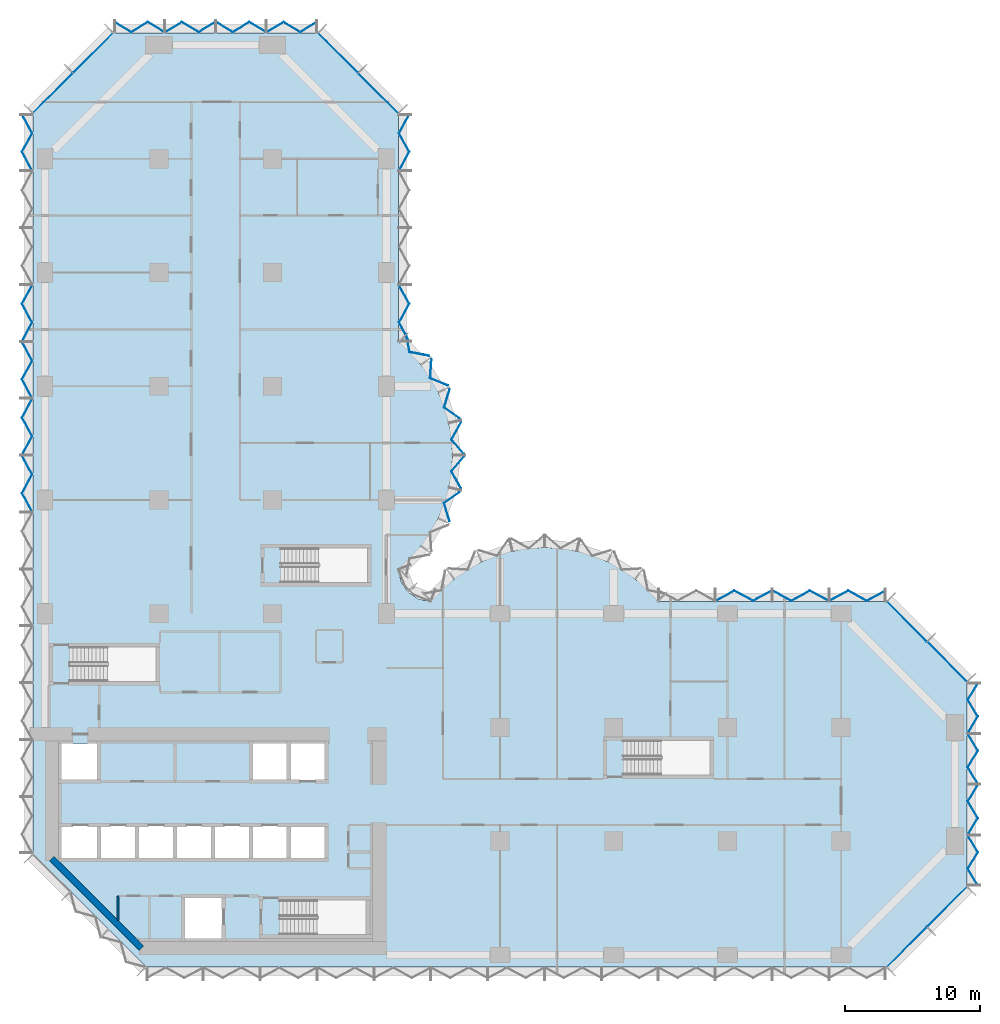
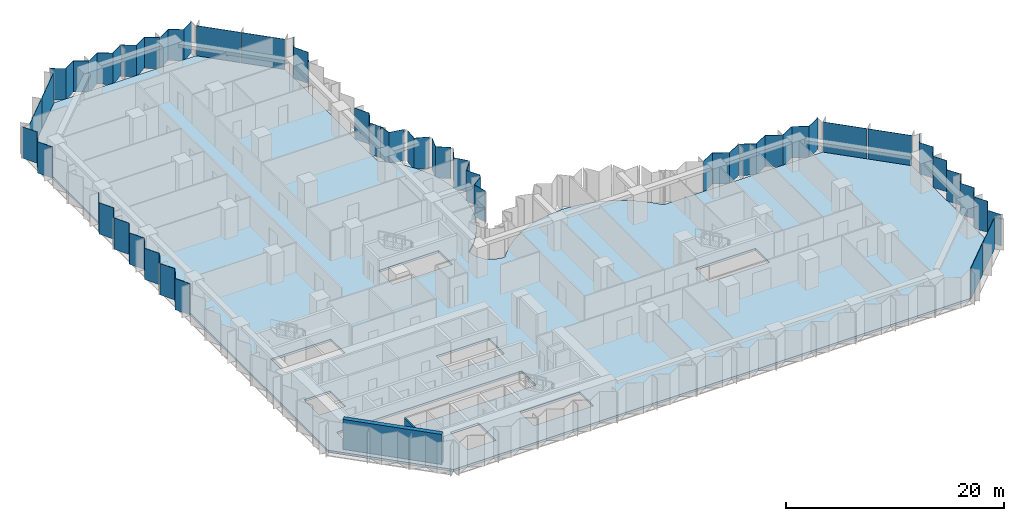
# One storey, part 6 of 15: 32 plates, 2 walls, 1 slab, 10 elements without a shape of their own.
"""IFC4 building model written with IfcOpenShell, lengths in metres."""

from ifc_helpers import new_model, si_unit, direction, frame, frame_2d, origin, place, context, subcontext, project, spatial, polyline, rectangle, outline, extrude, material, layer, layer_set, type_object, element, aggregate, save


model = new_model("IFC4")

# Units and contexts
model_context = context("Model", 3, precision=1e-05, world=origin(), true_north=direction((0.0, 1.0)))
body_context = subcontext(model_context, "Body", "Model", "MODEL_VIEW")
ifc_project = project(units=[si_unit("LENGTHUNIT", "METRE"), si_unit("AREAUNIT", "SQUARE_METRE"), si_unit("VOLUMEUNIT", "CUBIC_METRE"), si_unit("PLANEANGLEUNIT", "RADIAN"), si_unit("MASSUNIT", "GRAM", prefix="KILO")], contexts=[model_context])

# Site, building, storey
site_placement = place(None, origin())
site = spatial("IfcSite", under=ifc_project, at=site_placement, CompositionType="ELEMENT")
building_placement = place(site_placement, origin())
building = spatial("IfcBuilding", under=site, at=building_placement, Name="Brevane Broadcast Tower", CompositionType="ELEMENT")
storey_placement = place(building_placement, frame((0.0, 0.0, 72.5)))
storey = spatial("IfcBuildingStorey", under=building, at=storey_placement, Name="L16", CompositionType="ELEMENT", Elevation=72.5)

# Curtain wall, plates
ifc_material_1 = material(Name="Aluminium 6063-T6 bronze anodised", Category="aluminium")
curtain_wall_type = type_object("IfcCurtainWallType", Name="CW-1 curtain wall", PredefinedType="NOTDEFINED", material=ifc_material_1)
curtain_wall_1_placement = place(storey_placement, origin())
curtain_wall_1 = element("IfcCurtainWall", 1, at=curtain_wall_1_placement, inside=storey, type_object=curtain_wall_type, Name="CW-1 typical tilted unit L16 south-east chamfer", PredefinedType="NOTDEFINED")
ifc_material_2 = material(Name="Laminated glass bronze-tinted", Category="glass")
ifc_layer_1 = layer(ifc_material_2, 0.0400390625)
ifc_layer_set_1 = layer_set([ifc_layer_1], Name="CW tall glass panel 40")
plate_type = type_object("IfcPlateType", Name="CW tall glass panel 40", PredefinedType="CURTAIN_PANEL", material=ifc_layer_set_1)
plate_1_placement = place(storey_placement, frame((0.0, 0.0, -0.14990234375)))
plate_1 = element("IfcPlate", 2, at=plate_1_placement, type_object=plate_type, Name="CW-1 glass panel", PredefinedType="CURTAIN_PANEL", context=body_context, shape_type="SweptSolid", body=[
    extrude(outline(polyline([(62.14599609375, -0.896484375), (65.096435546875, 2.053955078125), (65.124755859375, 2.02587890625), (62.17431640625, -0.9248046875), (62.14599609375, -0.896484375)])), origin(), (0.0, 0.0, 1.0), 3.5),
])
plate_2_placement = place(storey_placement, frame((0.0, 0.0, -0.14990234375)))
plate_2 = element("IfcPlate", 3, at=plate_2_placement, type_object=plate_type, Name="CW-1 glass panel", PredefinedType="CURTAIN_PANEL", context=body_context, shape_type="SweptSolid", body=[
    extrude(outline(polyline([(65.14599609375, 2.103515625), (68.096435546875, 5.053955078125), (68.124755859375, 5.02587890625), (65.17431640625, 2.0751953125), (65.14599609375, 2.103515625)])), origin(), (0.0, 0.0, 1.0), 3.5),
])
aggregate(curtain_wall_1, [plate_1, plate_2])

curtain_wall_2_placement = place(storey_placement, origin())
curtain_wall_2 = element("IfcCurtainWall", 4, at=curtain_wall_2_placement, inside=storey, type_object=curtain_wall_type, Name="CW-1 typical tilted unit L16 east end", PredefinedType="NOTDEFINED")
plate_3_placement = place(storey_placement, frame((0.0, 0.0, -0.14990234375)))
plate_3 = element("IfcPlate", 5, at=plate_3_placement, type_object=plate_type, Name="CW-1 glass panel", PredefinedType="CURTAIN_PANEL", context=body_context, shape_type="SweptSolid", body=[
    extrude(outline(polyline([(68.87109375, 5.135009765625), (68.917724609375, 5.135009765625), (68.17333984375, 6.36181640625), (68.917724609375, 7.58837890625), (68.17333984375, 8.81494140625), (68.126708984375, 8.81494140625), (68.87109375, 7.58837890625), (68.126708984375, 6.36181640625), (68.87109375, 5.135009765625)])), origin(), (0.0, 0.0, 1.0), 3.5),
])
plate_4_placement = place(storey_placement, frame((0.0, 0.0, -0.14990234375)))
plate_4 = element("IfcPlate", 6, at=plate_4_placement, type_object=plate_type, Name="CW-1 glass panel", PredefinedType="CURTAIN_PANEL", context=body_context, shape_type="SweptSolid", body=[
    extrude(outline(polyline([(68.126708984375, 8.885009765625), (68.17333984375, 8.885009765625), (68.917724609375, 10.11181640625), (68.17333984375, 11.33837890625), (68.917724609375, 12.56494140625), (68.87109375, 12.56494140625), (68.126708984375, 11.33837890625), (68.87109375, 10.11181640625), (68.126708984375, 8.885009765625)])), origin(), (0.0, 0.0, 1.0), 3.5),
])
plate_5_placement = place(storey_placement, frame((0.0, 0.0, -0.14990234375)))
plate_5 = element("IfcPlate", 7, at=plate_5_placement, type_object=plate_type, Name="CW-1 glass panel", PredefinedType="CURTAIN_PANEL", context=body_context, shape_type="SweptSolid", body=[
    extrude(outline(polyline([(68.87109375, 12.635009765625), (68.917724609375, 12.635009765625), (68.17333984375, 13.86181640625), (68.917724609375, 15.08837890625), (68.17333984375, 16.31494140625), (68.126708984375, 16.31494140625), (68.87109375, 15.08837890625), (68.126708984375, 13.86181640625), (68.87109375, 12.635009765625)])), origin(), (0.0, 0.0, 1.0), 3.5),
])
plate_6_placement = place(storey_placement, frame((0.0, 0.0, -0.14990234375)))
plate_6 = element("IfcPlate", 8, at=plate_6_placement, type_object=plate_type, Name="CW-1 glass panel", PredefinedType="CURTAIN_PANEL", context=body_context, shape_type="SweptSolid", body=[
    extrude(outline(polyline([(68.126708984375, 16.385009765625), (68.17333984375, 16.385009765625), (68.917724609375, 17.61181640625), (68.17333984375, 18.83837890625), (68.917724609375, 20.06494140625), (68.87109375, 20.06494140625), (68.126708984375, 18.83837890625), (68.87109375, 17.61181640625), (68.126708984375, 16.385009765625)])), origin(), (0.0, 0.0, 1.0), 3.5),
])
aggregate(curtain_wall_2, [plate_3, plate_4, plate_5, plate_6])

curtain_wall_3_placement = place(storey_placement, origin())
curtain_wall_3 = element("IfcCurtainWall", 9, at=curtain_wall_3_placement, inside=storey, type_object=curtain_wall_type, Name="CW-1 typical tilted unit L16 north-east chamfer", PredefinedType="NOTDEFINED")
plate_7_placement = place(storey_placement, frame((0.0, 0.0, -0.14990234375)))
plate_7 = element("IfcPlate", 10, at=plate_7_placement, type_object=plate_type, Name="CW-1 glass panel", PredefinedType="CURTAIN_PANEL", context=body_context, shape_type="SweptSolid", body=[
    extrude(outline(polyline([(68.096435546875, 20.14599609375), (65.14599609375, 23.096435546875), (65.17431640625, 23.124755859375), (68.124755859375, 20.17431640625), (68.096435546875, 20.14599609375)])), origin(), (0.0, 0.0, 1.0), 3.5),
])
plate_8_placement = place(storey_placement, frame((0.0, 0.0, -0.14990234375)))
plate_8 = element("IfcPlate", 11, at=plate_8_placement, type_object=plate_type, Name="CW-1 glass panel", PredefinedType="CURTAIN_PANEL", context=body_context, shape_type="SweptSolid", body=[
    extrude(outline(polyline([(65.096435546875, 23.14599609375), (62.14599609375, 26.096435546875), (62.17431640625, 26.124755859375), (65.124755859375, 23.17431640625), (65.096435546875, 23.14599609375)])), origin(), (0.0, 0.0, 1.0), 3.5),
])
aggregate(curtain_wall_3, [plate_7, plate_8])

curtain_wall_4_placement = place(storey_placement, origin())
curtain_wall_4 = element("IfcCurtainWall", 12, at=curtain_wall_4_placement, inside=storey, type_object=curtain_wall_type, Name="CW-1 typical tilted unit L16 east arm north face", PredefinedType="NOTDEFINED")
plate_9_placement = place(storey_placement, frame((0.0, 0.0, -0.14990234375)))
plate_9 = element("IfcPlate", 13, at=plate_9_placement, type_object=plate_type, Name="CW-1 glass panel", PredefinedType="CURTAIN_PANEL", context=body_context, shape_type="SweptSolid", body=[
    extrude(outline(polyline([(62.06494140625, 26.87158203125), (62.06494140625, 26.9169921875), (60.688232421875, 26.172607421875), (59.311767578125, 26.9169921875), (57.93505859375, 26.172607421875), (57.93505859375, 26.127197265625), (59.311767578125, 26.87158203125), (60.688232421875, 26.127197265625), (62.06494140625, 26.87158203125)])), origin(), (0.0, 0.0, 1.0), 3.5),
])
plate_10_placement = place(storey_placement, frame((0.0, 0.0, -0.14990234375)))
plate_10 = element("IfcPlate", 14, at=plate_10_placement, type_object=plate_type, Name="CW-1 glass panel", PredefinedType="CURTAIN_PANEL", context=body_context, shape_type="SweptSolid", body=[
    extrude(outline(polyline([(57.864990234375, 26.127197265625), (57.864990234375, 26.172607421875), (56.48828125, 26.9169921875), (55.11181640625, 26.172607421875), (53.735107421875, 26.9169921875), (53.735107421875, 26.87158203125), (55.11181640625, 26.127197265625), (56.48828125, 26.87158203125), (57.864990234375, 26.127197265625)])), origin(), (0.0, 0.0, 1.0), 3.5),
])
plate_11_placement = place(storey_placement, frame((0.0, 0.0, -0.14990234375)))
plate_11 = element("IfcPlate", 15, at=plate_11_placement, type_object=plate_type, Name="CW-1 glass panel", PredefinedType="CURTAIN_PANEL", context=body_context, shape_type="SweptSolid", body=[
    extrude(outline(polyline([(53.6650390625, 26.87158203125), (53.6650390625, 26.9169921875), (52.288330078125, 26.172607421875), (50.91162109375, 26.9169921875), (49.534912109375, 26.172607421875), (49.534912109375, 26.127197265625), (50.91162109375, 26.87158203125), (52.288330078125, 26.127197265625), (53.6650390625, 26.87158203125)])), origin(), (0.0, 0.0, 1.0), 3.5),
])
aggregate(curtain_wall_4, [plate_9, plate_10, plate_11])

curtain_wall_5_placement = place(storey_placement, origin())
curtain_wall_5 = element("IfcCurtainWall", 16, at=curtain_wall_5_placement, inside=storey, type_object=curtain_wall_type, Name="CW-1 typical tilted unit L16 north bow", PredefinedType="NOTDEFINED")
plate_12_placement = place(storey_placement, frame((0.0, 0.0, -0.14990234375)))
plate_12 = element("IfcPlate", 17, at=plate_12_placement, type_object=plate_type, Name="CW-1 glass panel", PredefinedType="CURTAIN_PANEL", context=body_context, shape_type="SweptSolid", body=[
    extrude(outline(polyline([(29.851806640625, 32.044677734375), (29.900634765625, 32.021484375), (29.494384765625, 33.364501953125), (30.622802734375, 34.167236328125), (30.57080078125, 34.17919921875), (29.44775390625, 33.380615234375), (29.851806640625, 32.044677734375)])), origin(), (0.0, 0.0, 1.0), 3.5),
])
plate_13_placement = place(storey_placement, frame((0.0, 0.0, -0.14990234375)))
plate_13 = element("IfcPlate", 18, at=plate_13_placement, type_object=plate_type, Name="CW-1 glass panel", PredefinedType="CURTAIN_PANEL", context=body_context, shape_type="SweptSolid", body=[
    extrude(outline(polyline([(30.68798828125, 34.483642578125), (30.740478515625, 34.4716796875), (30.036376953125, 35.730224609375), (30.94921875, 36.7919921875), (30.896484375, 36.7919921875), (29.98779296875, 35.735107421875), (30.68798828125, 34.483642578125)])), origin(), (0.0, 0.0, 1.0), 3.5),
])
plate_14_placement = place(storey_placement, frame((0.0, 0.0, -0.14990234375)))
plate_14 = element("IfcPlate", 19, at=plate_14_placement, type_object=plate_type, Name="CW-1 glass panel", PredefinedType="CURTAIN_PANEL", context=body_context, shape_type="SweptSolid", body=[
    extrude(outline(polyline([(30.896484375, 37.008056640625), (30.94921875, 37.008056640625), (30.036376953125, 38.069580078125), (30.740478515625, 39.328369140625), (30.68798828125, 39.31640625), (29.98779296875, 38.064697265625), (30.896484375, 37.008056640625)])), origin(), (0.0, 0.0, 1.0), 3.5),
])
plate_15_placement = place(storey_placement, frame((0.0, 0.0, -0.14990234375)))
plate_15 = element("IfcPlate", 20, at=plate_15_placement, type_object=plate_type, Name="CW-1 glass panel", PredefinedType="CURTAIN_PANEL", context=body_context, shape_type="SweptSolid", body=[
    extrude(outline(polyline([(30.57080078125, 39.62060546875), (30.622802734375, 39.6328125), (29.494384765625, 40.435546875), (29.900634765625, 41.778564453125), (29.851806640625, 41.75537109375), (29.44775390625, 40.41943359375), (30.57080078125, 39.62060546875)])), origin(), (0.0, 0.0, 1.0), 3.5),
])
plate_16_placement = place(storey_placement, frame((0.0, 0.0, -0.14990234375)))
plate_16 = element("IfcPlate", 21, at=plate_16_placement, type_object=plate_type, Name="CW-1 glass panel", PredefinedType="CURTAIN_PANEL", context=body_context, shape_type="SweptSolid", body=[
    extrude(outline(polyline([(29.712890625, 42.046875), (29.76171875, 42.0703125), (28.462890625, 42.601318359375), (28.551025390625, 43.9833984375), (28.5087890625, 43.950439453125), (28.42138671875, 42.5751953125), (29.712890625, 42.046875)])), origin(), (0.0, 0.0, 1.0), 3.5),
])
plate_17_placement = place(storey_placement, frame((0.0, 0.0, -0.14990234375)))
plate_17 = element("IfcPlate", 22, at=plate_17_placement, type_object=plate_type, Name="CW-1 glass panel", PredefinedType="CURTAIN_PANEL", context=body_context, shape_type="SweptSolid", body=[
    extrude(outline(polyline([(28.34375, 44.231201171875), (28.3857421875, 44.263916015625), (26.9423828125, 44.539306640625), (26.690185546875, 45.82470703125), (26.656005859375, 45.79150390625), (26.908203125, 44.5048828125), (28.34375, 44.231201171875)])), origin(), (0.0, 0.0, 1.0), 3.5),
])
aggregate(curtain_wall_5, [plate_12, plate_13, plate_14, plate_15, plate_16, plate_17])

curtain_wall_6_placement = place(storey_placement, origin())
curtain_wall_6 = element("IfcCurtainWall", 23, at=curtain_wall_6_placement, inside=storey, type_object=curtain_wall_type, Name="CW-1 typical tilted unit L16 north arm east face", PredefinedType="NOTDEFINED")
plate_18_placement = place(storey_placement, frame((0.0, 0.0, -0.14990234375)))
plate_18 = element("IfcPlate", 24, at=plate_18_placement, type_object=plate_type, Name="CW-1 glass panel", PredefinedType="CURTAIN_PANEL", context=body_context, shape_type="SweptSolid", body=[
    extrude(outline(polyline([(26.87158203125, 45.3349609375), (26.9169921875, 45.3349609375), (26.172607421875, 46.711669921875), (26.9169921875, 48.08837890625), (26.172607421875, 49.465087890625), (26.127197265625, 49.465087890625), (26.87158203125, 48.08837890625), (26.127197265625, 46.711669921875), (26.87158203125, 45.3349609375)])), origin(), (0.0, 0.0, 1.0), 3.5),
])
plate_19_placement = place(storey_placement, frame((0.0, 0.0, -0.14990234375)))
plate_19 = element("IfcPlate", 25, at=plate_19_placement, type_object=plate_type, Name="CW-1 glass panel", PredefinedType="CURTAIN_PANEL", context=body_context, shape_type="SweptSolid", body=[
    extrude(outline(polyline([(26.127197265625, 57.93505859375), (26.172607421875, 57.93505859375), (26.9169921875, 59.311767578125), (26.172607421875, 60.688232421875), (26.9169921875, 62.06494140625), (26.87158203125, 62.06494140625), (26.127197265625, 60.688232421875), (26.87158203125, 59.311767578125), (26.127197265625, 57.93505859375)])), origin(), (0.0, 0.0, 1.0), 3.5),
])
aggregate(curtain_wall_6, [plate_18, plate_19])

curtain_wall_7_placement = place(storey_placement, origin())
curtain_wall_7 = element("IfcCurtainWall", 26, at=curtain_wall_7_placement, inside=storey, type_object=curtain_wall_type, Name="CW-1 typical tilted unit L16 north arm north-east chamfer", PredefinedType="NOTDEFINED")
plate_20_placement = place(storey_placement, frame((0.0, 0.0, -0.14990234375)))
plate_20 = element("IfcPlate", 27, at=plate_20_placement, type_object=plate_type, Name="CW-1 glass panel", PredefinedType="CURTAIN_PANEL", context=body_context, shape_type="SweptSolid", body=[
    extrude(outline(polyline([(26.096435546875, 62.14599609375), (23.14599609375, 65.096435546875), (23.17431640625, 65.124755859375), (26.124755859375, 62.17431640625), (26.096435546875, 62.14599609375)])), origin(), (0.0, 0.0, 1.0), 3.5),
])
plate_21_placement = place(storey_placement, frame((0.0, 0.0, -0.14990234375)))
plate_21 = element("IfcPlate", 28, at=plate_21_placement, type_object=plate_type, Name="CW-1 glass panel", PredefinedType="CURTAIN_PANEL", context=body_context, shape_type="SweptSolid", body=[
    extrude(outline(polyline([(23.096435546875, 65.14599609375), (20.14599609375, 68.096435546875), (20.17431640625, 68.124755859375), (23.124755859375, 65.17431640625), (23.096435546875, 65.14599609375)])), origin(), (0.0, 0.0, 1.0), 3.5),
])
aggregate(curtain_wall_7, [plate_20, plate_21])

curtain_wall_8_placement = place(storey_placement, origin())
curtain_wall_8 = element("IfcCurtainWall", 29, at=curtain_wall_8_placement, inside=storey, type_object=curtain_wall_type, Name="CW-1 typical tilted unit L16 north end", PredefinedType="NOTDEFINED")
plate_22_placement = place(storey_placement, frame((0.0, 0.0, -0.14990234375)))
plate_22 = element("IfcPlate", 30, at=plate_22_placement, type_object=plate_type, Name="CW-1 glass panel", PredefinedType="CURTAIN_PANEL", context=body_context, shape_type="SweptSolid", body=[
    extrude(outline(polyline([(20.06494140625, 68.87109375), (20.06494140625, 68.917724609375), (18.83837890625, 68.17333984375), (17.61181640625, 68.917724609375), (16.385009765625, 68.17333984375), (16.385009765625, 68.126708984375), (17.61181640625, 68.87109375), (18.83837890625, 68.126708984375), (20.06494140625, 68.87109375)])), origin(), (0.0, 0.0, 1.0), 3.5),
])
plate_23_placement = place(storey_placement, frame((0.0, 0.0, -0.14990234375)))
plate_23 = element("IfcPlate", 31, at=plate_23_placement, type_object=plate_type, Name="CW-1 glass panel", PredefinedType="CURTAIN_PANEL", context=body_context, shape_type="SweptSolid", body=[
    extrude(outline(polyline([(16.31494140625, 68.126708984375), (16.31494140625, 68.17333984375), (15.08837890625, 68.917724609375), (13.86181640625, 68.17333984375), (12.635009765625, 68.917724609375), (12.635009765625, 68.87109375), (13.86181640625, 68.126708984375), (15.08837890625, 68.87109375), (16.31494140625, 68.126708984375)])), origin(), (0.0, 0.0, 1.0), 3.5),
])
plate_24_placement = place(storey_placement, frame((0.0, 0.0, -0.14990234375)))
plate_24 = element("IfcPlate", 32, at=plate_24_placement, type_object=plate_type, Name="CW-1 glass panel", PredefinedType="CURTAIN_PANEL", context=body_context, shape_type="SweptSolid", body=[
    extrude(outline(polyline([(12.56494140625, 68.87109375), (12.56494140625, 68.917724609375), (11.33837890625, 68.17333984375), (10.11181640625, 68.917724609375), (8.885009765625, 68.17333984375), (8.885009765625, 68.126708984375), (10.11181640625, 68.87109375), (11.33837890625, 68.126708984375), (12.56494140625, 68.87109375)])), origin(), (0.0, 0.0, 1.0), 3.5),
])
plate_25_placement = place(storey_placement, frame((0.0, 0.0, -0.14990234375)))
plate_25 = element("IfcPlate", 33, at=plate_25_placement, type_object=plate_type, Name="CW-1 glass panel", PredefinedType="CURTAIN_PANEL", context=body_context, shape_type="SweptSolid", body=[
    extrude(outline(polyline([(8.81494140625, 68.126708984375), (8.81494140625, 68.17333984375), (7.58837890625, 68.917724609375), (6.36181640625, 68.17333984375), (5.135009765625, 68.917724609375), (5.135009765625, 68.87109375), (6.36181640625, 68.126708984375), (7.58837890625, 68.87109375), (8.81494140625, 68.126708984375)])), origin(), (0.0, 0.0, 1.0), 3.5),
])
aggregate(curtain_wall_8, [plate_22, plate_23, plate_24, plate_25])

curtain_wall_9_placement = place(storey_placement, origin())
curtain_wall_9 = element("IfcCurtainWall", 34, at=curtain_wall_9_placement, inside=storey, type_object=curtain_wall_type, Name="CW-1 typical tilted unit L16 north-west chamfer", PredefinedType="NOTDEFINED")
plate_26_placement = place(storey_placement, frame((0.0, 0.0, -0.14990234375)))
plate_26 = element("IfcPlate", 35, at=plate_26_placement, type_object=plate_type, Name="CW-1 glass panel", PredefinedType="CURTAIN_PANEL", context=body_context, shape_type="SweptSolid", body=[
    extrude(outline(polyline([(5.053955078125, 68.096435546875), (2.103515625, 65.14599609375), (2.0751953125, 65.17431640625), (5.02587890625, 68.124755859375), (5.053955078125, 68.096435546875)])), origin(), (0.0, 0.0, 1.0), 3.5),
])
plate_27_placement = place(storey_placement, frame((0.0, 0.0, -0.14990234375)))
plate_27 = element("IfcPlate", 36, at=plate_27_placement, type_object=plate_type, Name="CW-1 glass panel", PredefinedType="CURTAIN_PANEL", context=body_context, shape_type="SweptSolid", body=[
    extrude(outline(polyline([(2.053955078125, 65.096435546875), (-0.896484375, 62.14599609375), (-0.9248046875, 62.17431640625), (2.02587890625, 65.124755859375), (2.053955078125, 65.096435546875)])), origin(), (0.0, 0.0, 1.0), 3.5),
])
aggregate(curtain_wall_9, [plate_26, plate_27])

curtain_wall_10_placement = place(storey_placement, origin())
curtain_wall_10 = element("IfcCurtainWall", 37, at=curtain_wall_10_placement, inside=storey, type_object=curtain_wall_type, Name="CW-1 typical tilted unit L16 west face", PredefinedType="NOTDEFINED")
plate_28_placement = place(storey_placement, frame((0.0, 0.0, -0.14990234375)))
plate_28 = element("IfcPlate", 38, at=plate_28_placement, type_object=plate_type, Name="CW-1 glass panel", PredefinedType="CURTAIN_PANEL", context=body_context, shape_type="SweptSolid", body=[
    extrude(outline(polyline([(-1.671630859375, 62.06494140625), (-1.717041015625, 62.06494140625), (-0.97265625, 60.688232421875), (-1.717041015625, 59.311767578125), (-0.97265625, 57.93505859375), (-0.92724609375, 57.93505859375), (-1.671630859375, 59.311767578125), (-0.92724609375, 60.688232421875), (-1.671630859375, 62.06494140625)])), origin(), (0.0, 0.0, 1.0), 3.5),
])
plate_29_placement = place(storey_placement, frame((0.0, 0.0, -0.14990234375)))
plate_29 = element("IfcPlate", 39, at=plate_29_placement, type_object=plate_type, Name="CW-1 glass panel", PredefinedType="CURTAIN_PANEL", context=body_context, shape_type="SweptSolid", body=[
    extrude(outline(polyline([(-0.92724609375, 49.465087890625), (-0.97265625, 49.465087890625), (-1.717041015625, 48.08837890625), (-0.97265625, 46.711669921875), (-1.717041015625, 45.3349609375), (-1.671630859375, 45.3349609375), (-0.92724609375, 46.711669921875), (-1.671630859375, 48.08837890625), (-0.92724609375, 49.465087890625)])), origin(), (0.0, 0.0, 1.0), 3.5),
])
plate_30_placement = place(storey_placement, frame((0.0, 0.0, -0.14990234375)))
plate_30 = element("IfcPlate", 40, at=plate_30_placement, type_object=plate_type, Name="CW-1 glass panel", PredefinedType="CURTAIN_PANEL", context=body_context, shape_type="SweptSolid", body=[
    extrude(outline(polyline([(-1.671630859375, 45.264892578125), (-1.717041015625, 45.264892578125), (-0.97265625, 43.88818359375), (-1.717041015625, 42.51171875), (-0.97265625, 41.135009765625), (-0.92724609375, 41.135009765625), (-1.671630859375, 42.51171875), (-0.92724609375, 43.88818359375), (-1.671630859375, 45.264892578125)])), origin(), (0.0, 0.0, 1.0), 3.5),
])
plate_31_placement = place(storey_placement, frame((0.0, 0.0, -0.14990234375)))
plate_31 = element("IfcPlate", 41, at=plate_31_placement, type_object=plate_type, Name="CW-1 glass panel", PredefinedType="CURTAIN_PANEL", context=body_context, shape_type="SweptSolid", body=[
    extrude(outline(polyline([(-0.92724609375, 41.06494140625), (-0.97265625, 41.06494140625), (-1.717041015625, 39.688232421875), (-0.97265625, 38.311767578125), (-1.717041015625, 36.93505859375), (-1.671630859375, 36.93505859375), (-0.92724609375, 38.311767578125), (-1.671630859375, 39.688232421875), (-0.92724609375, 41.06494140625)])), origin(), (0.0, 0.0, 1.0), 3.5),
])
plate_32_placement = place(storey_placement, frame((0.0, 0.0, -0.14990234375)))
plate_32 = element("IfcPlate", 42, at=plate_32_placement, type_object=plate_type, Name="CW-1 glass panel", PredefinedType="CURTAIN_PANEL", context=body_context, shape_type="SweptSolid", body=[
    extrude(outline(polyline([(-1.671630859375, 36.864990234375), (-1.717041015625, 36.864990234375), (-0.97265625, 35.48828125), (-1.717041015625, 34.11181640625), (-0.97265625, 32.735107421875), (-0.92724609375, 32.735107421875), (-1.671630859375, 34.11181640625), (-0.92724609375, 35.48828125), (-1.671630859375, 36.864990234375)])), origin(), (0.0, 0.0, 1.0), 3.5),
])
aggregate(curtain_wall_10, [plate_28, plate_29, plate_30, plate_31, plate_32])

# Slab
ifc_material_3 = material(Name="Concrete C40/50", Category="concrete")
ifc_layer_2 = layer(ifc_material_3, 0.25)
ifc_layer_set_2 = layer_set([ifc_layer_2], Name="RC FLOOR SLAB 250 C40/50")
slab_type = type_object("IfcSlabType", Name="RC FLOOR SLAB 250 C40/50", PredefinedType="FLOOR", material=ifc_layer_set_2)
slab_placement = place(storey_placement, frame((0.0, 0.0, -0.25)))
element("IfcSlab", 43, at=slab_placement, inside=storey, type_object=slab_type, Name="SL250 L16", PredefinedType="FLOOR", context=body_context, shape_type="SweptSolid", body=[
    extrude(outline(polyline([(-0.89990234375, 7.5), (-0.89990234375, 62.10009765625), (5.10009765625, 68.10009765625), (20.10009765625, 68.10009765625), (26.10009765625, 62.10009765625), (26.10009765625, 45.300048828125), (27.10888671875, 44.36865234375), (27.99169921875, 43.317138671875), (28.734130859375, 42.162353515625), (29.324462890625, 40.922607421875), (29.7529296875, 39.618408203125), (30.012939453125, 38.270263671875), (30.10009765625, 36.89990234375), (30.012939453125, 35.52978515625), (29.7529296875, 34.181640625), (29.324462890625, 32.877197265625), (28.734130859375, 31.6376953125), (27.99169921875, 30.48291015625), (27.10888671875, 29.431396484375), (26.10009765625, 28.5), (26.28271484375, 27.58154296875), (26.802978515625, 26.802978515625), (27.58154296875, 26.28271484375), (28.5, 26.10009765625), (29.431396484375, 27.10888671875), (30.48291015625, 27.99169921875), (31.6376953125, 28.734130859375), (32.877197265625, 29.324462890625), (34.181640625, 29.7529296875), (35.52978515625, 30.012939453125), (36.89990234375, 30.10009765625), (38.270263671875, 30.012939453125), (39.618408203125, 29.7529296875), (40.922607421875, 29.324462890625), (42.162353515625, 28.734130859375), (43.317138671875, 27.99169921875), (44.36865234375, 27.10888671875), (45.300048828125, 26.10009765625), (62.10009765625, 26.10009765625), (68.10009765625, 20.10009765625), (68.10009765625, 5.10009765625), (62.10009765625, -0.89990234375), (7.5, -0.89990234375), (-0.89990234375, 7.5)]), holes=[polyline([(13.199951171875, 4.39990234375), (10.199951171875, 4.39990234375), (10.199951171875, 1.199951171875), (13.199951171875, 1.199951171875), (13.199951171875, 4.39990234375)]), polyline([(4.0, 9.60009765625), (1.199951171875, 9.60009765625), (1.199951171875, 7.0), (4.0, 7.0), (6.800048828125, 7.0), (9.60009765625, 7.0), (12.39990234375, 7.0), (15.199951171875, 7.0), (18.0, 7.0), (20.800048828125, 7.0), (20.800048828125, 9.60009765625), (18.0, 9.60009765625), (15.199951171875, 9.60009765625), (12.39990234375, 9.60009765625), (9.60009765625, 9.60009765625), (6.800048828125, 9.60009765625), (4.0, 9.60009765625)]), polyline([(4.0, 12.800048828125), (4.0, 15.60009765625), (1.199951171875, 15.60009765625), (1.199951171875, 12.800048828125), (4.0, 12.800048828125)]), polyline([(8.199951171875, 22.75), (1.860107421875, 22.75), (1.860107421875, 20.199951171875), (8.199951171875, 20.199951171875), (8.199951171875, 22.75)]), polyline([(23.699951171875, 4.050048828125), (17.360107421875, 4.050048828125), (17.360107421875, 1.5), (23.699951171875, 1.5), (23.699951171875, 4.050048828125)]), polyline([(18.0, 15.60009765625), (15.199951171875, 15.60009765625), (15.199951171875, 12.800048828125), (18.0, 12.800048828125), (20.800048828125, 12.800048828125), (20.800048828125, 15.60009765625), (18.0, 15.60009765625)]), polyline([(49.10009765625, 15.85009765625), (42.760009765625, 15.85009765625), (42.760009765625, 13.300048828125), (49.10009765625, 13.300048828125), (49.10009765625, 15.85009765625)]), polyline([(23.800048828125, 30.050048828125), (17.4599609375, 30.050048828125), (17.4599609375, 27.5), (23.800048828125, 27.5), (23.800048828125, 30.050048828125)])]), origin(), (0.0, 0.0, 1.0), 0.25),
])

# Walls
ifc_material_4 = material(Name="Gypsum board on steel studs", Category="steel")
ifc_layer_3 = layer(ifc_material_4, 0.14990234375)
ifc_layer_set_3 = layer_set([ifc_layer_3], Name="Core fire partition 150 mm")
wall_type_1 = type_object("IfcWallType", Name="Core fire partition 150 mm", PredefinedType="PARTITIONING", material=ifc_layer_set_3)
wall_1_placement = place(storey_placement, frame((5.39990234375, 2.553466796875, 0.0), z_axis=(0.0, 0.0, 1.0), x_axis=(0.0, 1.0, 0.0)))
element("IfcWall", 44, at=wall_1_placement, inside=storey, type_object=wall_type_1, Name="L16 partition wall P10", PredefinedType="PARTITIONING", context=body_context, shape_type="SweptSolid", body=[
    extrude(rectangle(XDim=1.796630859375, YDim=0.14990234375, at=frame_2d((0.8984375, 0.0))), origin(), (0.0, 0.0, 1.0), 3.35009765625),
])
ifc_material_5 = material(Name="Concrete C80/95", Category="concrete")
ifc_layer_4 = layer(ifc_material_5, 0.449951171875)
ifc_layer_set_4 = layer_set([ifc_layer_4], Name="Core wall 450 mm C80/95")
wall_type_2 = type_object("IfcWallType", Name="Core wall 450 mm C80/95", PredefinedType="SHEAR", material=ifc_layer_set_4)
wall_2_placement = place(storey_placement, frame((0.5, 7.1181640625, 0.0), z_axis=(0.0, 0.0, 1.0), x_axis=(0.707106781187, -0.707106781187, 0.0)))
element("IfcWall", 45, at=wall_2_placement, inside=storey, type_object=wall_type_2, Name="L16 outer wall WC", PredefinedType="SHEAR", context=body_context, shape_type="SweptSolid", body=[
    extrude(rectangle(XDim=9.359619140625, YDim=0.449951171875, at=frame_2d((4.6796875, 0.0))), origin(), (0.0, 0.0, 1.0), 3.35009765625),
])

save(model, "model.ifc")
